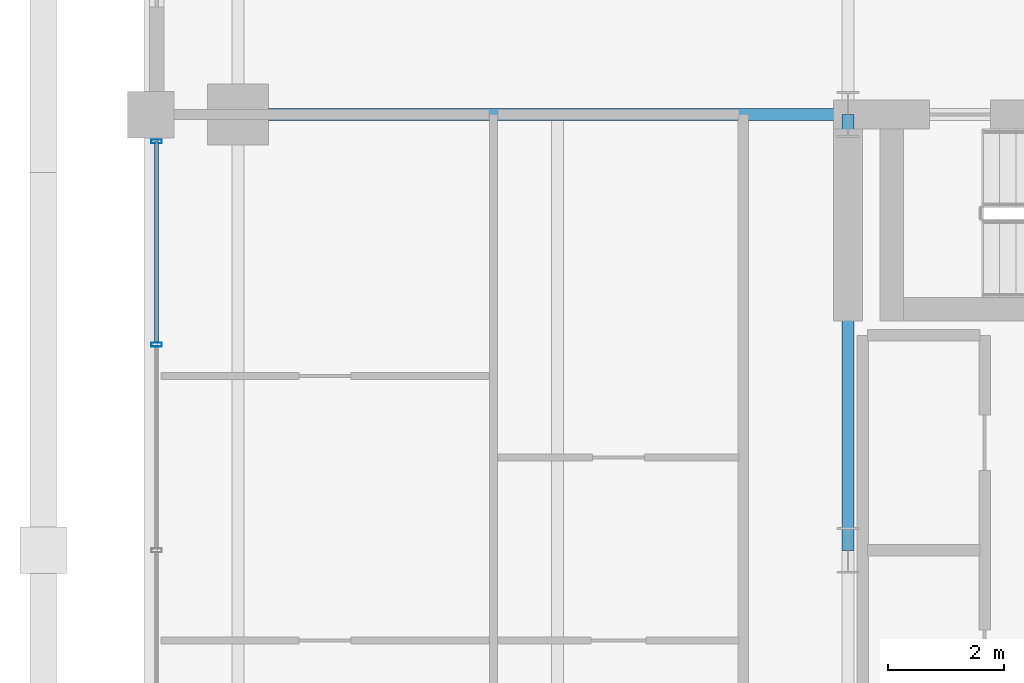
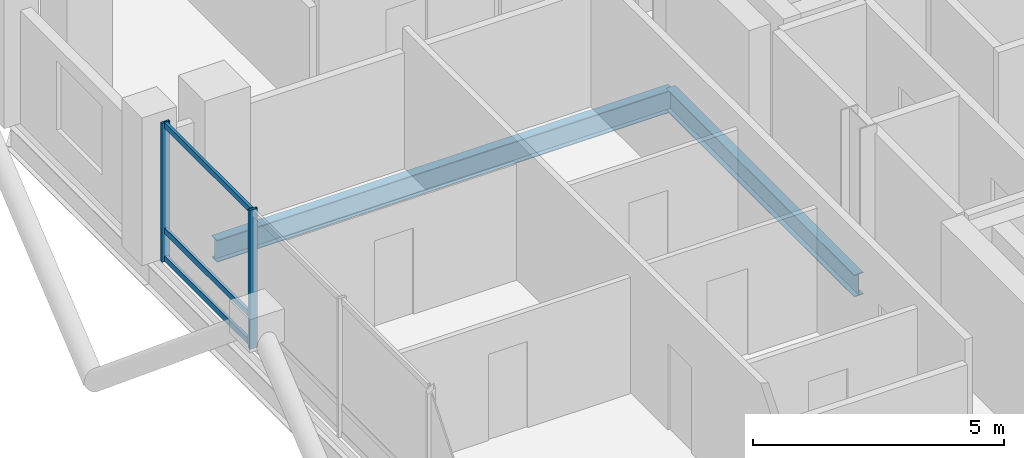
# One storey, part 8 of 24: 5 members, 2 beams, 1 element without a shape of its own.
"""IFC4 building model written with IfcOpenShell, lengths in metres."""

import ifcopenshell
import ifcopenshell.guid

model = None  # the IFC model being written
_history = None  # IfcOwnerHistory: only IFC2X3 demands one
_inside = {}  # id of a spatial element -> (the spatial element, [elements in it])
_under = {}  # id of a project, library or spatial element -> (it, [spatial elements below it])
_declared = {}  # id of a project -> (the project, [libraries it declares])
_typed = {}  # id of a type object -> (the type object, [elements of that type])
_made_of = {}  # id of a material, layer set ... -> (it, [elements and type objects made of it])


def new_model(schema):
    """Start an empty IFC model of exactly this schema.

    Asked for "IFC4X3", IfcOpenShell would pick the latest addendum, in which some entities
    have other attributes; the version numbers below select the first issue.
    IFC2X3 requires an IfcOwnerHistory on every rooted entity: one is made here for all.
    """
    global model, _history
    if schema == "IFC4X3":
        model = ifcopenshell.file(schema_version=(4, 3, 0, 0))
    else:
        model = ifcopenshell.file(schema=schema)
    _inside.clear()
    _under.clear()
    _declared.clear()
    _typed.clear()
    _made_of.clear()
    _history = None
    if model.schema == "IFC2X3":
        org = make("IfcOrganization", Name="unknown")
        user = make(
            "IfcPersonAndOrganization",
            ThePerson=make("IfcPerson", FamilyName="unknown"),
            TheOrganization=org,
        )
        app = make(
            "IfcApplication",
            ApplicationDeveloper=org,
            Version="unknown",
            ApplicationFullName="unknown",
            ApplicationIdentifier="unknown",
        )
        _history = make(
            "IfcOwnerHistory",
            OwningUser=user,
            OwningApplication=app,
            ChangeAction="ADDED",
            CreationDate=0,
        )
    return model


def make(cls, **values):
    """One entity of the class cls with the attributes given. An attribute that is None is left unset."""
    return model.create_entity(
        cls, **{name: value for name, value in values.items() if value is not None}
    )


def rooted(cls, **values):
    """An entity with a GlobalId (a new one), such as an element, a storey or a relation."""
    return make(cls, GlobalId=ifcopenshell.guid.new(), OwnerHistory=_history, **values)


def si_unit(unit_type, name, prefix=None):
    """IfcSIUnit, for example si_unit("LENGTHUNIT", "METRE", prefix="MILLI")."""
    return make("IfcSIUnit", UnitType=unit_type, Prefix=prefix, Name=name)


def assignment(units):
    """IfcUnitAssignment: the units of a project."""
    return None if units is None else make("IfcUnitAssignment", Units=units)


def point(xyz):
    """IfcCartesianPoint."""
    return None if xyz is None else make("IfcCartesianPoint", Coordinates=xyz)


def direction(xyz):
    """IfcDirection."""
    return None if xyz is None else make("IfcDirection", DirectionRatios=xyz)


def frame(location, z_axis=None, x_axis=None):
    """IfcAxis2Placement3D, a coordinate frame: its origin and axes. An axis left out is left unset."""
    return make(
        "IfcAxis2Placement3D",
        Location=point(location),
        Axis=direction(z_axis),
        RefDirection=direction(x_axis),
    )


def frame_2d(location, x_axis=None):
    """IfcAxis2Placement2D, a coordinate frame in the plane: its origin and x axis."""
    return make(
        "IfcAxis2Placement2D", Location=point(location), RefDirection=direction(x_axis)
    )


def origin():
    """The frame at (0, 0, 0) with its axes left unset."""
    return frame((0.0, 0.0, 0.0))


def origin_2d():
    """The frame at (0, 0) in the plane with its x axis left unset."""
    return frame_2d((0.0, 0.0))


def place(relative_to, where):
    """IfcLocalPlacement: puts the frame where relative to a parent placement (None: the world)."""
    return make(
        "IfcLocalPlacement", PlacementRelTo=relative_to, RelativePlacement=where
    )


def context(
    kind, dimensions, precision=None, world=None, true_north=None, identifier=None
):
    """IfcGeometricRepresentationContext, for example the 3D "Model" context."""
    return make(
        "IfcGeometricRepresentationContext",
        ContextIdentifier=identifier,
        ContextType=kind,
        CoordinateSpaceDimension=dimensions,
        Precision=precision,
        WorldCoordinateSystem=world,
        TrueNorth=true_north,
    )


def subcontext(parent, identifier, kind, view, scale=None):
    """IfcGeometricRepresentationSubContext, for example "Body" below "Model"."""
    return make(
        "IfcGeometricRepresentationSubContext",
        ContextIdentifier=identifier,
        ContextType=kind,
        ParentContext=parent,
        TargetScale=scale,
        TargetView=view,
    )


def project(units=None, contexts=None):
    """IfcProject with its units and contexts."""
    return rooted(
        "IfcProject",
        Name="project",
        RepresentationContexts=contexts,
        UnitsInContext=assignment(units),
    )


def spatial(cls, under=None, at=None, **own):
    """A site, building, storey or space (cls), placed at a placement, below another one or the project."""
    s = rooted(cls, ObjectPlacement=at, **own)
    if under is not None:
        _under.setdefault(under.id(), (under, []))[1].append(s)
    return s


def profile(cls, at=None, kind="AREA", **sizes):
    """A parametric profile (cls). Its sizes go by their IFC names, for example OverallWidth=200.0."""
    return make(cls, ProfileType=kind, Position=at, **sizes)


def hollow_rectangle(**sizes):
    """IfcRectangleHollowProfileDef."""
    return profile("IfcRectangleHollowProfileDef", **sizes)


def i_section(**sizes):
    """IfcIShapeProfileDef."""
    return profile("IfcIShapeProfileDef", **sizes)


def extrude(swept, where, along, depth):
    """IfcExtrudedAreaSolid: the profile swept, set in the frame where, extruded along a direction by depth."""
    return make(
        "IfcExtrudedAreaSolid",
        SweptArea=swept,
        Position=where,
        ExtrudedDirection=direction(along),
        Depth=depth,
    )


def shape(context_of_items, identifier, shape_type, items):
    """IfcShapeRepresentation: the items that make up one representation, for example the "Body"."""
    return make(
        "IfcShapeRepresentation",
        ContextOfItems=context_of_items,
        RepresentationIdentifier=identifier,
        RepresentationType=shape_type,
        Items=items,
    )


def material(Name=None, Category=None):
    """IfcMaterial."""
    return make("IfcMaterial", Name=Name, Category=Category)


def layer(
    of_material, thickness, ventilated=None, Name=None, Category=None, Priority=None
):
    """IfcMaterialLayer: one layer of a wall or slab, of a material (None: an air gap)."""
    return make(
        "IfcMaterialLayer",
        Material=of_material,
        LayerThickness=thickness,
        IsVentilated=ventilated,
        Name=Name,
        Category=Category,
        Priority=Priority,
    )


def layer_set(layers, Name=None):
    """IfcMaterialLayerSet."""
    return make("IfcMaterialLayerSet", MaterialLayers=layers, LayerSetName=Name)


def material_profile(
    of_material, cross_section, Name=None, Category=None, Priority=None
):
    """IfcMaterialProfile: a cross section and its material."""
    return make(
        "IfcMaterialProfile",
        Name=Name,
        Material=of_material,
        Profile=cross_section,
        Priority=Priority,
        Category=Category,
    )


def profile_set(profiles, Name=None, composite=None):
    """IfcMaterialProfileSet."""
    return make(
        "IfcMaterialProfileSet",
        Name=Name,
        MaterialProfiles=profiles,
        CompositeProfile=composite,
    )


def made_of(thing, what):
    """Note that an element or type object is made of a material, layer set ...; save() writes the relation."""
    if what is not None:
        _made_of.setdefault(what.id(), (what, []))[1].append(thing)
    return thing


def type_object(cls, material=None, **own):
    """A type object (cls), such as IfcWallType, which elements share."""
    return made_of(rooted(cls, **own), material)


def element(
    cls,
    number,
    at=None,
    inside=None,
    cuts=None,
    type_object=None,
    material=None,
    context=None,
    identifier="Body",
    shape_type=None,
    held_by="IfcProductDefinitionShape",
    body=None,
    shapes=None,
    **own,
):
    """One element of the class cls, such as IfcWall. Its Tag is "e" and its number.

    at: its placement. inside: the storey or other place that contains it. cuts: it is an
    opening in that element (IfcRelVoidsElement). A single representation is given by context,
    identifier, shape_type and body (its items); several are given by shapes. held_by: the class
    of the entity that holds the representations. save() writes the other relations.
    """
    e = rooted(cls, Tag="e%d" % number, ObjectPlacement=at, **own)
    if body is not None:
        shapes = [shape(context, identifier, shape_type, body)]
    if shapes is not None:
        e.Representation = make(held_by, Representations=shapes)
    if inside is not None:
        _inside.setdefault(inside.id(), (inside, []))[1].append(e)
    if cuts is not None:
        rooted(
            "IfcRelVoidsElement", RelatingBuildingElement=cuts, RelatedOpeningElement=e
        )
    if type_object is not None:
        _typed.setdefault(type_object.id(), (type_object, []))[1].append(e)
    return made_of(e, material)


def aggregate(whole, parts):
    """IfcRelAggregates: a whole, such as a stair, and the parts it consists of."""
    return rooted("IfcRelAggregates", RelatingObject=whole, RelatedObjects=parts)


def save(model, path):
    """Write the relations noted so far, then the file.

    IfcRelAggregates (storeys below a building ...), IfcRelContainedInSpatialStructure (elements
    in a storey), IfcRelDefinesByType, IfcRelAssociatesMaterial and IfcRelDeclares: one each for
    every whole, place, type object, material and project.
    """
    for whole, parts in _under.values():
        aggregate(whole, parts)
    for where, things in _inside.values():
        rooted(
            "IfcRelContainedInSpatialStructure",
            RelatedElements=things,
            RelatingStructure=where,
        )
    for kind, things in _typed.values():
        rooted("IfcRelDefinesByType", RelatedObjects=things, RelatingType=kind)
    for what, things in _made_of.values():
        rooted("IfcRelAssociatesMaterial", RelatedObjects=things, RelatingMaterial=what)
    for by, libraries in _declared.values():
        rooted("IfcRelDeclares", RelatingContext=by, RelatedDefinitions=libraries)
    model.write(path)


model = new_model("IFC4")

# Units and contexts
model_context = context("Model", 3, precision=1e-05, world=origin(), true_north=direction((0.0, 1.0)))
body_context = subcontext(model_context, "Body", "Model", "MODEL_VIEW")
ifc_project = project(units=[si_unit("LENGTHUNIT", "METRE"), si_unit("AREAUNIT", "SQUARE_METRE"), si_unit("VOLUMEUNIT", "CUBIC_METRE"), si_unit("PLANEANGLEUNIT", "RADIAN"), si_unit("MASSUNIT", "GRAM", prefix="KILO")], contexts=[model_context])

# Site, building, storey
site_placement = place(None, origin())
site = spatial("IfcSite", under=ifc_project, at=site_placement, CompositionType="ELEMENT")
building_placement = place(site_placement, origin())
building = spatial("IfcBuilding", under=site, at=building_placement, Name="Barlavira Tower and Art Museum", CompositionType="ELEMENT")
storey_placement = place(building_placement, frame((0.0, 0.0, 183.60009765625)))
storey = spatial("IfcBuildingStorey", under=building, at=storey_placement, Name="L47", CompositionType="ELEMENT", Elevation=183.60009765625)

# Curtain wall, members
ifc_material_1 = material(Name="Low-iron coastal laminated glass", Category="glass")
ifc_layer = layer(ifc_material_1, 0.199951171875, Name="Low-iron coastal laminated glass")
ifc_layer_set = layer_set([ifc_layer], Name="Low-iron coastal laminated glass")
curtain_wall_type = type_object("IfcCurtainWallType", Name="Pale-Metal Unitised Curtain Wall Zone 3", PredefinedType="NOTDEFINED", material=ifc_layer_set)
curtain_wall_placement = place(storey_placement, origin())
curtain_wall = element("IfcCurtainWall", 1, at=curtain_wall_placement, inside=storey, type_object=curtain_wall_type, Name="L47 Curtain Wall CW3-L47-W-B3", PredefinedType="NOTDEFINED")
ifc_material_2 = material(Name="Pale anodised aluminium", Category="aluminium")
ifc_material_profile_1 = material_profile(ifc_material_2, hollow_rectangle(XDim=0.06494140625, YDim=0.179931640625, WallThickness=0.00390625, at=origin_2d()), Name="ALU-MULL 65x180x4")
ifc_profile_set_1 = profile_set([ifc_material_profile_1], Name="Pale anodised aluminium")
member_type_1 = type_object("IfcMemberType", Name="Curtain Wall Pale-Metal Mullion 65x180", PredefinedType="MULLION", material=ifc_profile_set_1)
member_1_placement = place(storey_placement, frame((-18.39990234375, 7.034912109375, 0.0), z_axis=(0.0, 0.0, 1.0), x_axis=(0.0, -1.0, 0.0)))
member_1 = element("IfcMember", 2, at=member_1_placement, type_object=member_type_1, Name="CW3-L47-W-B3 Mullion 0", PredefinedType="MULLION", context=body_context, shape_type="SweptSolid", body=[
    extrude(hollow_rectangle(XDim=0.06494140625, YDim=0.179931640625, WallThickness=0.00390625, at=origin_2d()), origin(), (0.0, 0.0, 1.0), 3.3798828125),
])
member_2_placement = place(storey_placement, frame((-18.39990234375, 3.5400390625, 0.0), z_axis=(0.0, 0.0, 1.0), x_axis=(0.0, -1.0, 0.0)))
member_2 = element("IfcMember", 3, at=member_2_placement, type_object=member_type_1, Name="CW3-L47-W-B3 Mullion 1", PredefinedType="MULLION", context=body_context, shape_type="SweptSolid", body=[
    extrude(hollow_rectangle(XDim=0.06494140625, YDim=0.179931640625, WallThickness=0.00390625, at=origin_2d()), origin(), (0.0, 0.0, 1.0), 3.3798828125),
])
ifc_material_profile_2 = material_profile(ifc_material_2, hollow_rectangle(XDim=0.06494140625, YDim=0.139892578125, WallThickness=0.00390625, at=origin_2d()), Name="ALU-TRAN 65x140x4")
ifc_profile_set_2 = profile_set([ifc_material_profile_2], Name="Pale anodised aluminium")
member_type_2 = type_object("IfcMemberType", Name="Curtain Wall Pale-Metal Transom 65x140", PredefinedType="USERDEFINED", material=ifc_profile_set_2)
member_3_placement = place(storey_placement, frame((-18.39990234375, 7.034912109375, 0.06982421875), z_axis=(0.0, -1.0, 0.0), x_axis=(1.0, 0.0, 0.0)))
member_3 = element("IfcMember", 4, at=member_3_placement, type_object=member_type_2, Name="CW3-L47-W-B3 Transom 0.1", ObjectType="TRANSOM", PredefinedType="USERDEFINED", context=body_context, shape_type="SweptSolid", body=[
    extrude(hollow_rectangle(XDim=0.06494140625, YDim=0.139892578125, WallThickness=0.00390625, at=origin_2d()), origin(), (0.0, 0.0, 1.0), 3.449951171875),
])
member_4_placement = place(storey_placement, frame((-18.39990234375, 7.034912109375, 0.743896484375), z_axis=(0.0, -1.0, 0.0), x_axis=(1.0, 0.0, 0.0)))
member_4 = element("IfcMember", 5, at=member_4_placement, type_object=member_type_2, Name="CW3-L47-W-B3 Transom 0.2", ObjectType="TRANSOM", PredefinedType="USERDEFINED", context=body_context, shape_type="SweptSolid", body=[
    extrude(hollow_rectangle(XDim=0.06494140625, YDim=0.139892578125, WallThickness=0.00390625, at=origin_2d()), origin(), (0.0, 0.0, 1.0), 3.449951171875),
])
member_5_placement = place(storey_placement, frame((-18.39990234375, 7.034912109375, 3.309814453125), z_axis=(0.0, -1.0, 0.0), x_axis=(1.0, 0.0, 0.0)))
member_5 = element("IfcMember", 6, at=member_5_placement, type_object=member_type_2, Name="CW3-L47-W-B3 Transom 0.3", ObjectType="TRANSOM", PredefinedType="USERDEFINED", context=body_context, shape_type="SweptSolid", body=[
    extrude(hollow_rectangle(XDim=0.06494140625, YDim=0.139892578125, WallThickness=0.00390625, at=origin_2d()), origin(), (0.0, 0.0, 1.0), 3.449951171875),
])
aggregate(curtain_wall, [member_1, member_2, member_3, member_4, member_5])

# Beams
ifc_material_3 = material(Name="Steel S355", Category="steel")
ifc_material_profile_3 = material_profile(ifc_material_3, i_section(OverallWidth=0.2109375, OverallDepth=0.5390625, WebThickness=0.01171875, FlangeThickness=0.018798828125, at=origin_2d()), Name="W530x109.0")
ifc_profile_set_3 = profile_set([ifc_material_profile_3], Name="Steel S355")
beam_type = type_object("IfcBeamType", Name="Zone 3-4 Primary Floor Girder W530x109 Steel S355", PredefinedType="BEAM", material=ifc_profile_set_3)
beam_1_placement = place(storey_placement, frame((-6.5, 0.0, -0.489501953125), z_axis=(0.0, 1.0, 0.0), x_axis=(-1.0, 0.0, 0.0)))
element("IfcBeam", 7, at=beam_1_placement, inside=storey, type_object=beam_type, Name="L47 Girder C-W2", PredefinedType="BEAM", context=body_context, shape_type="SweptSolid", body=[
    extrude(i_section(OverallWidth=0.2109375, OverallDepth=0.5390625, WebThickness=0.01171875, FlangeThickness=0.018798828125, at=origin_2d()), origin(), (0.0, 0.0, 1.0), 7.5),
])
beam_2_placement = place(storey_placement, frame((-17.0, 7.5, -0.489501953125), z_axis=(1.0, 0.0, 0.0), x_axis=(0.0, 1.0, 0.0)))
element("IfcBeam", 8, at=beam_2_placement, inside=storey, type_object=beam_type, Name="L47 Girder R-W2", PredefinedType="BEAM", context=body_context, shape_type="SweptSolid", body=[
    extrude(i_section(OverallWidth=0.2109375, OverallDepth=0.5390625, WebThickness=0.01171875, FlangeThickness=0.018798828125, at=origin_2d()), origin(), (0.0, 0.0, 1.0), 10.5),
])

save(model, "model.ifc")
